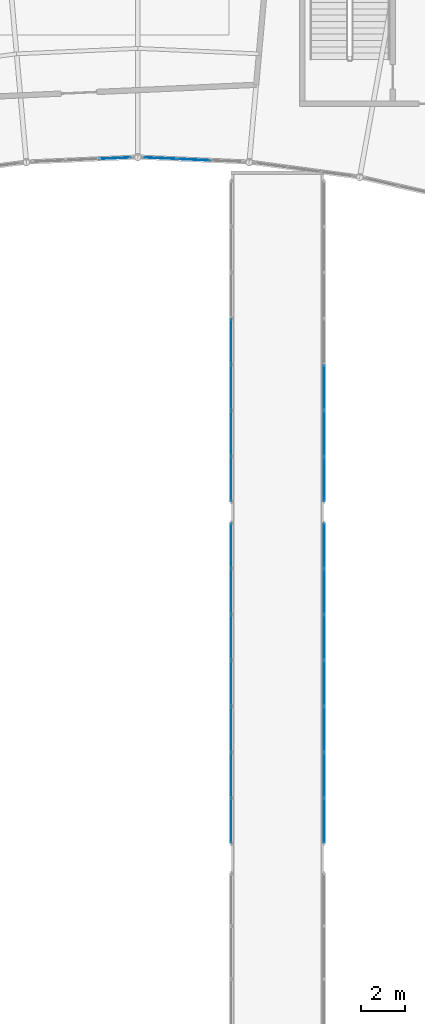
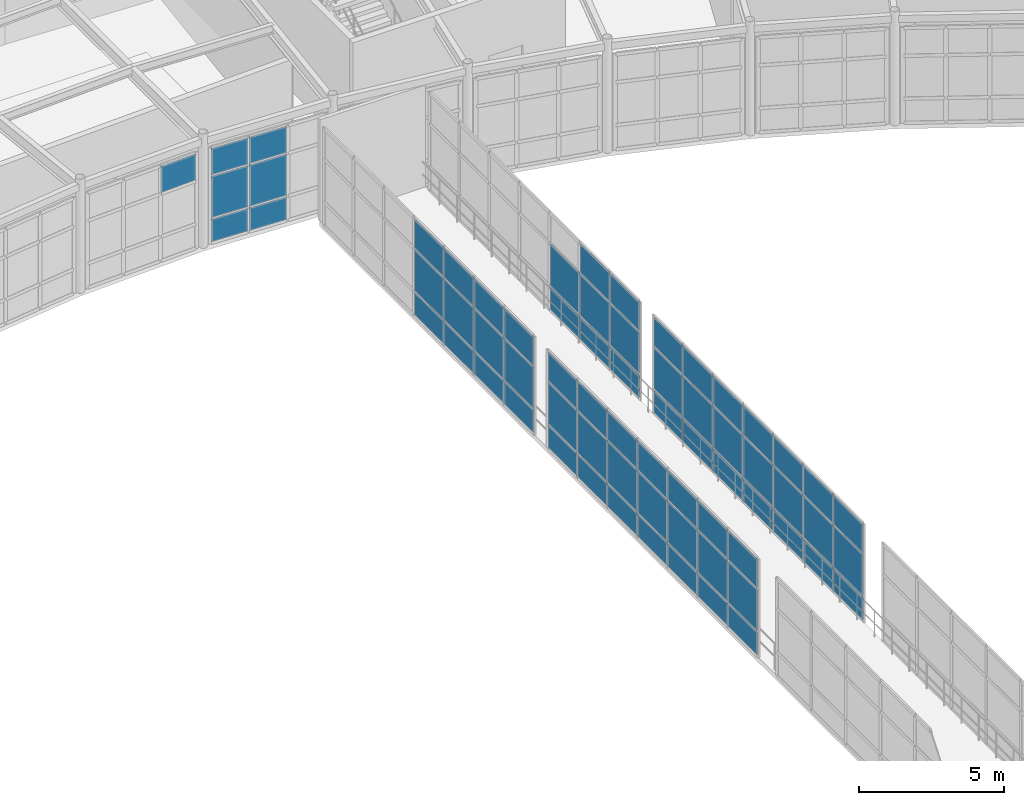
# One storey, part 80 of 105: 69 plates, 6 elements without a shape of their own.
"""IFC4 building model written with IfcOpenShell, lengths in metres."""

import ifcopenshell
import ifcopenshell.guid

model = None  # the IFC model being written
_history = None  # IfcOwnerHistory: only IFC2X3 demands one
_inside = {}  # id of a spatial element -> (the spatial element, [elements in it])
_under = {}  # id of a project, library or spatial element -> (it, [spatial elements below it])
_declared = {}  # id of a project -> (the project, [libraries it declares])
_typed = {}  # id of a type object -> (the type object, [elements of that type])
_made_of = {}  # id of a material, layer set ... -> (it, [elements and type objects made of it])


def new_model(schema):
    """Start an empty IFC model of exactly this schema.

    Asked for "IFC4X3", IfcOpenShell would pick the latest addendum, in which some entities
    have other attributes; the version numbers below select the first issue.
    IFC2X3 requires an IfcOwnerHistory on every rooted entity: one is made here for all.
    """
    global model, _history
    if schema == "IFC4X3":
        model = ifcopenshell.file(schema_version=(4, 3, 0, 0))
    else:
        model = ifcopenshell.file(schema=schema)
    _inside.clear()
    _under.clear()
    _declared.clear()
    _typed.clear()
    _made_of.clear()
    _history = None
    if model.schema == "IFC2X3":
        org = make("IfcOrganization", Name="unknown")
        user = make(
            "IfcPersonAndOrganization",
            ThePerson=make("IfcPerson", FamilyName="unknown"),
            TheOrganization=org,
        )
        app = make(
            "IfcApplication",
            ApplicationDeveloper=org,
            Version="unknown",
            ApplicationFullName="unknown",
            ApplicationIdentifier="unknown",
        )
        _history = make(
            "IfcOwnerHistory",
            OwningUser=user,
            OwningApplication=app,
            ChangeAction="ADDED",
            CreationDate=0,
        )
    return model


def make(cls, **values):
    """One entity of the class cls with the attributes given. An attribute that is None is left unset."""
    return model.create_entity(
        cls, **{name: value for name, value in values.items() if value is not None}
    )


def rooted(cls, **values):
    """An entity with a GlobalId (a new one), such as an element, a storey or a relation."""
    return make(cls, GlobalId=ifcopenshell.guid.new(), OwnerHistory=_history, **values)


def si_unit(unit_type, name, prefix=None):
    """IfcSIUnit, for example si_unit("LENGTHUNIT", "METRE", prefix="MILLI")."""
    return make("IfcSIUnit", UnitType=unit_type, Prefix=prefix, Name=name)


def assignment(units):
    """IfcUnitAssignment: the units of a project."""
    return None if units is None else make("IfcUnitAssignment", Units=units)


def point(xyz):
    """IfcCartesianPoint."""
    return None if xyz is None else make("IfcCartesianPoint", Coordinates=xyz)


def direction(xyz):
    """IfcDirection."""
    return None if xyz is None else make("IfcDirection", DirectionRatios=xyz)


def frame(location, z_axis=None, x_axis=None):
    """IfcAxis2Placement3D, a coordinate frame: its origin and axes. An axis left out is left unset."""
    return make(
        "IfcAxis2Placement3D",
        Location=point(location),
        Axis=direction(z_axis),
        RefDirection=direction(x_axis),
    )


def frame_2d(location, x_axis=None):
    """IfcAxis2Placement2D, a coordinate frame in the plane: its origin and x axis."""
    return make(
        "IfcAxis2Placement2D", Location=point(location), RefDirection=direction(x_axis)
    )


def origin():
    """The frame at (0, 0, 0) with its axes left unset."""
    return frame((0.0, 0.0, 0.0))


def origin_2d():
    """The frame at (0, 0) in the plane with its x axis left unset."""
    return frame_2d((0.0, 0.0))


def place(relative_to, where):
    """IfcLocalPlacement: puts the frame where relative to a parent placement (None: the world)."""
    return make(
        "IfcLocalPlacement", PlacementRelTo=relative_to, RelativePlacement=where
    )


def context(
    kind, dimensions, precision=None, world=None, true_north=None, identifier=None
):
    """IfcGeometricRepresentationContext, for example the 3D "Model" context."""
    return make(
        "IfcGeometricRepresentationContext",
        ContextIdentifier=identifier,
        ContextType=kind,
        CoordinateSpaceDimension=dimensions,
        Precision=precision,
        WorldCoordinateSystem=world,
        TrueNorth=true_north,
    )


def subcontext(parent, identifier, kind, view, scale=None):
    """IfcGeometricRepresentationSubContext, for example "Body" below "Model"."""
    return make(
        "IfcGeometricRepresentationSubContext",
        ContextIdentifier=identifier,
        ContextType=kind,
        ParentContext=parent,
        TargetScale=scale,
        TargetView=view,
    )


def project(units=None, contexts=None):
    """IfcProject with its units and contexts."""
    return rooted(
        "IfcProject",
        Name="project",
        RepresentationContexts=contexts,
        UnitsInContext=assignment(units),
    )


def spatial(cls, under=None, at=None, **own):
    """A site, building, storey or space (cls), placed at a placement, below another one or the project."""
    s = rooted(cls, ObjectPlacement=at, **own)
    if under is not None:
        _under.setdefault(under.id(), (under, []))[1].append(s)
    return s


def profile(cls, at=None, kind="AREA", **sizes):
    """A parametric profile (cls). Its sizes go by their IFC names, for example OverallWidth=200.0."""
    return make(cls, ProfileType=kind, Position=at, **sizes)


def rectangle(**sizes):
    """IfcRectangleProfileDef."""
    return profile("IfcRectangleProfileDef", **sizes)


def extrude(swept, where, along, depth):
    """IfcExtrudedAreaSolid: the profile swept, set in the frame where, extruded along a direction by depth."""
    return make(
        "IfcExtrudedAreaSolid",
        SweptArea=swept,
        Position=where,
        ExtrudedDirection=direction(along),
        Depth=depth,
    )


def shape(context_of_items, identifier, shape_type, items):
    """IfcShapeRepresentation: the items that make up one representation, for example the "Body"."""
    return make(
        "IfcShapeRepresentation",
        ContextOfItems=context_of_items,
        RepresentationIdentifier=identifier,
        RepresentationType=shape_type,
        Items=items,
    )


def material(Name=None, Category=None):
    """IfcMaterial."""
    return make("IfcMaterial", Name=Name, Category=Category)


def layer(
    of_material, thickness, ventilated=None, Name=None, Category=None, Priority=None
):
    """IfcMaterialLayer: one layer of a wall or slab, of a material (None: an air gap)."""
    return make(
        "IfcMaterialLayer",
        Material=of_material,
        LayerThickness=thickness,
        IsVentilated=ventilated,
        Name=Name,
        Category=Category,
        Priority=Priority,
    )


def layer_set(layers, Name=None):
    """IfcMaterialLayerSet."""
    return make("IfcMaterialLayerSet", MaterialLayers=layers, LayerSetName=Name)


def made_of(thing, what):
    """Note that an element or type object is made of a material, layer set ...; save() writes the relation."""
    if what is not None:
        _made_of.setdefault(what.id(), (what, []))[1].append(thing)
    return thing


def type_object(cls, material=None, **own):
    """A type object (cls), such as IfcWallType, which elements share."""
    return made_of(rooted(cls, **own), material)


def element(
    cls,
    number,
    at=None,
    inside=None,
    cuts=None,
    type_object=None,
    material=None,
    context=None,
    identifier="Body",
    shape_type=None,
    held_by="IfcProductDefinitionShape",
    body=None,
    shapes=None,
    **own,
):
    """One element of the class cls, such as IfcWall. Its Tag is "e" and its number.

    at: its placement. inside: the storey or other place that contains it. cuts: it is an
    opening in that element (IfcRelVoidsElement). A single representation is given by context,
    identifier, shape_type and body (its items); several are given by shapes. held_by: the class
    of the entity that holds the representations. save() writes the other relations.
    """
    e = rooted(cls, Tag="e%d" % number, ObjectPlacement=at, **own)
    if body is not None:
        shapes = [shape(context, identifier, shape_type, body)]
    if shapes is not None:
        e.Representation = make(held_by, Representations=shapes)
    if inside is not None:
        _inside.setdefault(inside.id(), (inside, []))[1].append(e)
    if cuts is not None:
        rooted(
            "IfcRelVoidsElement", RelatingBuildingElement=cuts, RelatedOpeningElement=e
        )
    if type_object is not None:
        _typed.setdefault(type_object.id(), (type_object, []))[1].append(e)
    return made_of(e, material)


def aggregate(whole, parts):
    """IfcRelAggregates: a whole, such as a stair, and the parts it consists of."""
    return rooted("IfcRelAggregates", RelatingObject=whole, RelatedObjects=parts)


def save(model, path):
    """Write the relations noted so far, then the file.

    IfcRelAggregates (storeys below a building ...), IfcRelContainedInSpatialStructure (elements
    in a storey), IfcRelDefinesByType, IfcRelAssociatesMaterial and IfcRelDeclares: one each for
    every whole, place, type object, material and project.
    """
    for whole, parts in _under.values():
        aggregate(whole, parts)
    for where, things in _inside.values():
        rooted(
            "IfcRelContainedInSpatialStructure",
            RelatedElements=things,
            RelatingStructure=where,
        )
    for kind, things in _typed.values():
        rooted("IfcRelDefinesByType", RelatedObjects=things, RelatingType=kind)
    for what, things in _made_of.values():
        rooted("IfcRelAssociatesMaterial", RelatedObjects=things, RelatingMaterial=what)
    for by, libraries in _declared.values():
        rooted("IfcRelDeclares", RelatingContext=by, RelatedDefinitions=libraries)
    model.write(path)


model = new_model("IFC4")

# Units and contexts
model_context = context("Model", 3, precision=1e-05, world=origin(), true_north=direction((0.0, 1.0)))
body_context = subcontext(model_context, "Body", "Model", "MODEL_VIEW")
ifc_project = project(units=[si_unit("LENGTHUNIT", "METRE"), si_unit("AREAUNIT", "SQUARE_METRE"), si_unit("VOLUMEUNIT", "CUBIC_METRE"), si_unit("PLANEANGLEUNIT", "RADIAN"), si_unit("MASSUNIT", "GRAM", prefix="KILO")], contexts=[model_context])

# Site, building, storey
site_placement = place(None, origin())
site = spatial("IfcSite", under=ifc_project, at=site_placement, CompositionType="ELEMENT")
building_placement = place(site_placement, origin())
building = spatial("IfcBuilding", under=site, at=building_placement, Name="Selat Folded Stagehouse", CompositionType="ELEMENT")
storey_placement = place(building_placement, frame((0.0, 0.0, 10.199951171875)))
storey = spatial("IfcBuildingStorey", under=building, at=storey_placement, Name="L02", CompositionType="ELEMENT", Elevation=10.199951171875)

# Curtain wall, plates
ifc_material_1 = material(Name="Aluminium 6063-T6", Category="aluminium")
ifc_layer_1 = layer(ifc_material_1, 0.175048828125)
ifc_layer_set_1 = layer_set([ifc_layer_1], Name="Aluminium 6063-T6")
curtain_wall_type_1 = type_object("IfcCurtainWallType", Name="CW-BRG-GLAZ", PredefinedType="NOTDEFINED", material=ifc_layer_set_1)
curtain_wall_1_placement = place(storey_placement, origin())
curtain_wall_1 = element("IfcCurtainWall", 1, at=curtain_wall_1_placement, inside=storey, type_object=curtain_wall_type_1, Name="L02 curtain wall CW-BRG-14", PredefinedType="NOTDEFINED")
ifc_material_2 = material(Name="Clear laminated double glazing", Category="glass")
ifc_layer_2 = layer(ifc_material_2, 0.028076171875)
ifc_layer_set_2 = layer_set([ifc_layer_2], Name="Clear laminated double glazing")
plate_type_1 = type_object("IfcPlateType", Name="CWP-GLZ-DGU28", PredefinedType="CURTAIN_PANEL", material=ifc_layer_set_2)
plate_1_placement = place(storey_placement, frame((96.60009765625, 64.100830078125, 0.06494140625), z_axis=(0.0, 0.0, 1.0), x_axis=(0.0, 1.0, 0.0)))
plate_1 = element("IfcPlate", 2, at=plate_1_placement, type_object=plate_type_1, Name="CW-07 panel 1.1", PredefinedType="CURTAIN_PANEL", context=body_context, shape_type="SweptSolid", body=[
    extrude(rectangle(XDim=1.9814453125, YDim=0.028076171875, at=origin_2d()), origin(), (0.0, 0.0, 1.0), 0.952392578125),
])
plate_2_placement = place(storey_placement, frame((96.60009765625, 64.100830078125, 1.08251953125), z_axis=(0.0, 0.0, 1.0), x_axis=(0.0, 1.0, 0.0)))
plate_2 = element("IfcPlate", 3, at=plate_2_placement, type_object=plate_type_1, Name="CW-07 panel 1.2", PredefinedType="CURTAIN_PANEL", context=body_context, shape_type="SweptSolid", body=[
    extrude(rectangle(XDim=1.9814453125, YDim=0.028076171875, at=origin_2d()), origin(), (0.0, 0.0, 1.0), 1.735107421875),
])
plate_3_placement = place(storey_placement, frame((96.60009765625, 64.100830078125, 2.8828125), z_axis=(0.0, 0.0, 1.0), x_axis=(0.0, 1.0, 0.0)))
plate_3 = element("IfcPlate", 4, at=plate_3_placement, type_object=plate_type_1, Name="CW-07 panel 1.3", PredefinedType="CURTAIN_PANEL", context=body_context, shape_type="SweptSolid", body=[
    extrude(rectangle(XDim=1.9814453125, YDim=0.028076171875, at=origin_2d()), origin(), (0.0, 0.0, 1.0), 1.202392578125),
])
plate_4_placement = place(storey_placement, frame((96.60009765625, 66.1572265625, 0.06494140625), z_axis=(0.0, 0.0, 1.0), x_axis=(0.0, 1.0, 0.0)))
plate_4 = element("IfcPlate", 5, at=plate_4_placement, type_object=plate_type_1, Name="CW-07 panel 2.1", PredefinedType="CURTAIN_PANEL", context=body_context, shape_type="SweptSolid", body=[
    extrude(rectangle(XDim=2.011474609375, YDim=0.028076171875, at=origin_2d()), origin(), (0.0, 0.0, 1.0), 0.952392578125),
])
plate_5_placement = place(storey_placement, frame((96.60009765625, 66.1572265625, 1.08251953125), z_axis=(0.0, 0.0, 1.0), x_axis=(0.0, 1.0, 0.0)))
plate_5 = element("IfcPlate", 6, at=plate_5_placement, type_object=plate_type_1, Name="CW-07 panel 2.2", PredefinedType="CURTAIN_PANEL", context=body_context, shape_type="SweptSolid", body=[
    extrude(rectangle(XDim=2.011474609375, YDim=0.028076171875, at=origin_2d()), origin(), (0.0, 0.0, 1.0), 1.735107421875),
])
plate_6_placement = place(storey_placement, frame((96.60009765625, 66.1572265625, 2.8828125), z_axis=(0.0, 0.0, 1.0), x_axis=(0.0, 1.0, 0.0)))
plate_6 = element("IfcPlate", 7, at=plate_6_placement, type_object=plate_type_1, Name="CW-07 panel 2.3", PredefinedType="CURTAIN_PANEL", context=body_context, shape_type="SweptSolid", body=[
    extrude(rectangle(XDim=2.011474609375, YDim=0.028076171875, at=origin_2d()), origin(), (0.0, 0.0, 1.0), 1.202392578125),
])
plate_7_placement = place(storey_placement, frame((96.60009765625, 68.228515625, 0.06494140625), z_axis=(0.0, 0.0, 1.0), x_axis=(0.0, 1.0, 0.0)))
plate_7 = element("IfcPlate", 8, at=plate_7_placement, type_object=plate_type_1, Name="CW-07 panel 3.1", PredefinedType="CURTAIN_PANEL", context=body_context, shape_type="SweptSolid", body=[
    extrude(rectangle(XDim=2.011474609375, YDim=0.028076171875, at=origin_2d()), origin(), (0.0, 0.0, 1.0), 0.952392578125),
])
plate_8_placement = place(storey_placement, frame((96.60009765625, 68.228515625, 1.08251953125), z_axis=(0.0, 0.0, 1.0), x_axis=(0.0, 1.0, 0.0)))
plate_8 = element("IfcPlate", 9, at=plate_8_placement, type_object=plate_type_1, Name="CW-07 panel 3.2", PredefinedType="CURTAIN_PANEL", context=body_context, shape_type="SweptSolid", body=[
    extrude(rectangle(XDim=2.011474609375, YDim=0.028076171875, at=origin_2d()), origin(), (0.0, 0.0, 1.0), 1.735107421875),
])
plate_9_placement = place(storey_placement, frame((96.60009765625, 68.228515625, 2.8828125), z_axis=(0.0, 0.0, 1.0), x_axis=(0.0, 1.0, 0.0)))
plate_9 = element("IfcPlate", 10, at=plate_9_placement, type_object=plate_type_1, Name="CW-07 panel 3.3", PredefinedType="CURTAIN_PANEL", context=body_context, shape_type="SweptSolid", body=[
    extrude(rectangle(XDim=2.011474609375, YDim=0.028076171875, at=origin_2d()), origin(), (0.0, 0.0, 1.0), 1.202392578125),
])
plate_10_placement = place(storey_placement, frame((96.60009765625, 70.300048828125, 0.06494140625), z_axis=(0.0, 0.0, 1.0), x_axis=(0.0, 1.0, 0.0)))
plate_10 = element("IfcPlate", 11, at=plate_10_placement, type_object=plate_type_1, Name="CW-07 panel 4.1", PredefinedType="CURTAIN_PANEL", context=body_context, shape_type="SweptSolid", body=[
    extrude(rectangle(XDim=2.011474609375, YDim=0.028076171875, at=origin_2d()), origin(), (0.0, 0.0, 1.0), 0.952392578125),
])
plate_11_placement = place(storey_placement, frame((96.60009765625, 70.300048828125, 1.08251953125), z_axis=(0.0, 0.0, 1.0), x_axis=(0.0, 1.0, 0.0)))
plate_11 = element("IfcPlate", 12, at=plate_11_placement, type_object=plate_type_1, Name="CW-07 panel 4.2", PredefinedType="CURTAIN_PANEL", context=body_context, shape_type="SweptSolid", body=[
    extrude(rectangle(XDim=2.011474609375, YDim=0.028076171875, at=origin_2d()), origin(), (0.0, 0.0, 1.0), 1.735107421875),
])
plate_12_placement = place(storey_placement, frame((96.60009765625, 70.300048828125, 2.8828125), z_axis=(0.0, 0.0, 1.0), x_axis=(0.0, 1.0, 0.0)))
plate_12 = element("IfcPlate", 13, at=plate_12_placement, type_object=plate_type_1, Name="CW-07 panel 4.3", PredefinedType="CURTAIN_PANEL", context=body_context, shape_type="SweptSolid", body=[
    extrude(rectangle(XDim=2.011474609375, YDim=0.028076171875, at=origin_2d()), origin(), (0.0, 0.0, 1.0), 1.202392578125),
])
plate_13_placement = place(storey_placement, frame((96.60009765625, 72.371337890625, 0.06494140625), z_axis=(0.0, 0.0, 1.0), x_axis=(0.0, 1.0, 0.0)))
plate_13 = element("IfcPlate", 14, at=plate_13_placement, type_object=plate_type_1, Name="CW-07 panel 5.1", PredefinedType="CURTAIN_PANEL", context=body_context, shape_type="SweptSolid", body=[
    extrude(rectangle(XDim=2.011474609375, YDim=0.028076171875, at=origin_2d()), origin(), (0.0, 0.0, 1.0), 0.952392578125),
])
plate_14_placement = place(storey_placement, frame((96.60009765625, 72.371337890625, 1.08251953125), z_axis=(0.0, 0.0, 1.0), x_axis=(0.0, 1.0, 0.0)))
plate_14 = element("IfcPlate", 15, at=plate_14_placement, type_object=plate_type_1, Name="CW-07 panel 5.2", PredefinedType="CURTAIN_PANEL", context=body_context, shape_type="SweptSolid", body=[
    extrude(rectangle(XDim=2.011474609375, YDim=0.028076171875, at=origin_2d()), origin(), (0.0, 0.0, 1.0), 1.735107421875),
])
plate_15_placement = place(storey_placement, frame((96.60009765625, 72.371337890625, 2.8828125), z_axis=(0.0, 0.0, 1.0), x_axis=(0.0, 1.0, 0.0)))
plate_15 = element("IfcPlate", 16, at=plate_15_placement, type_object=plate_type_1, Name="CW-07 panel 5.3", PredefinedType="CURTAIN_PANEL", context=body_context, shape_type="SweptSolid", body=[
    extrude(rectangle(XDim=2.011474609375, YDim=0.028076171875, at=origin_2d()), origin(), (0.0, 0.0, 1.0), 1.202392578125),
])
plate_16_placement = place(storey_placement, frame((96.60009765625, 74.44287109375, 0.06494140625), z_axis=(0.0, 0.0, 1.0), x_axis=(0.0, 1.0, 0.0)))
plate_16 = element("IfcPlate", 17, at=plate_16_placement, type_object=plate_type_1, Name="CW-07 panel 6.1", PredefinedType="CURTAIN_PANEL", context=body_context, shape_type="SweptSolid", body=[
    extrude(rectangle(XDim=2.011474609375, YDim=0.028076171875, at=origin_2d()), origin(), (0.0, 0.0, 1.0), 0.952392578125),
])
plate_17_placement = place(storey_placement, frame((96.60009765625, 74.44287109375, 1.08251953125), z_axis=(0.0, 0.0, 1.0), x_axis=(0.0, 1.0, 0.0)))
plate_17 = element("IfcPlate", 18, at=plate_17_placement, type_object=plate_type_1, Name="CW-07 panel 6.2", PredefinedType="CURTAIN_PANEL", context=body_context, shape_type="SweptSolid", body=[
    extrude(rectangle(XDim=2.011474609375, YDim=0.028076171875, at=origin_2d()), origin(), (0.0, 0.0, 1.0), 1.735107421875),
])
plate_18_placement = place(storey_placement, frame((96.60009765625, 74.44287109375, 2.8828125), z_axis=(0.0, 0.0, 1.0), x_axis=(0.0, 1.0, 0.0)))
plate_18 = element("IfcPlate", 19, at=plate_18_placement, type_object=plate_type_1, Name="CW-07 panel 6.3", PredefinedType="CURTAIN_PANEL", context=body_context, shape_type="SweptSolid", body=[
    extrude(rectangle(XDim=2.011474609375, YDim=0.028076171875, at=origin_2d()), origin(), (0.0, 0.0, 1.0), 1.202392578125),
])
plate_19_placement = place(storey_placement, frame((96.60009765625, 76.499267578125, 0.06494140625), z_axis=(0.0, 0.0, 1.0), x_axis=(0.0, 1.0, 0.0)))
plate_19 = element("IfcPlate", 20, at=plate_19_placement, type_object=plate_type_1, Name="CW-07 panel 7.1", PredefinedType="CURTAIN_PANEL", context=body_context, shape_type="SweptSolid", body=[
    extrude(rectangle(XDim=1.9814453125, YDim=0.028076171875, at=origin_2d()), origin(), (0.0, 0.0, 1.0), 0.952392578125),
])
plate_20_placement = place(storey_placement, frame((96.60009765625, 76.499267578125, 1.08251953125), z_axis=(0.0, 0.0, 1.0), x_axis=(0.0, 1.0, 0.0)))
plate_20 = element("IfcPlate", 21, at=plate_20_placement, type_object=plate_type_1, Name="CW-07 panel 7.2", PredefinedType="CURTAIN_PANEL", context=body_context, shape_type="SweptSolid", body=[
    extrude(rectangle(XDim=1.9814453125, YDim=0.028076171875, at=origin_2d()), origin(), (0.0, 0.0, 1.0), 1.735107421875),
])
plate_21_placement = place(storey_placement, frame((96.60009765625, 76.499267578125, 2.8828125), z_axis=(0.0, 0.0, 1.0), x_axis=(0.0, 1.0, 0.0)))
plate_21 = element("IfcPlate", 22, at=plate_21_placement, type_object=plate_type_1, Name="CW-07 panel 7.3", PredefinedType="CURTAIN_PANEL", context=body_context, shape_type="SweptSolid", body=[
    extrude(rectangle(XDim=1.9814453125, YDim=0.028076171875, at=origin_2d()), origin(), (0.0, 0.0, 1.0), 1.202392578125),
])
aggregate(curtain_wall_1, [plate_1, plate_2, plate_3, plate_4, plate_5, plate_6, plate_7, plate_8, plate_9, plate_10, plate_11, plate_12, plate_13, plate_14, plate_15, plate_16, plate_17, plate_18, plate_19, plate_20, plate_21])

curtain_wall_2_placement = place(storey_placement, origin())
curtain_wall_2 = element("IfcCurtainWall", 23, at=curtain_wall_2_placement, inside=storey, type_object=curtain_wall_type_1, Name="L02 curtain wall CW-BRG-15", PredefinedType="NOTDEFINED")
plate_22_placement = place(storey_placement, frame((96.60009765625, 79.500732421875, 0.06494140625), z_axis=(0.0, 0.0, 1.0), x_axis=(0.0, 1.0, 0.0)))
plate_22 = element("IfcPlate", 24, at=plate_22_placement, type_object=plate_type_1, Name="CW-07 panel 1.1", PredefinedType="CURTAIN_PANEL", context=body_context, shape_type="SweptSolid", body=[
    extrude(rectangle(XDim=1.9814453125, YDim=0.028076171875, at=origin_2d()), origin(), (0.0, 0.0, 1.0), 0.952392578125),
])
plate_23_placement = place(storey_placement, frame((96.60009765625, 79.500732421875, 1.08251953125), z_axis=(0.0, 0.0, 1.0), x_axis=(0.0, 1.0, 0.0)))
plate_23 = element("IfcPlate", 25, at=plate_23_placement, type_object=plate_type_1, Name="CW-07 panel 1.2", PredefinedType="CURTAIN_PANEL", context=body_context, shape_type="SweptSolid", body=[
    extrude(rectangle(XDim=1.9814453125, YDim=0.028076171875, at=origin_2d()), origin(), (0.0, 0.0, 1.0), 1.735107421875),
])
plate_24_placement = place(storey_placement, frame((96.60009765625, 79.500732421875, 2.8828125), z_axis=(0.0, 0.0, 1.0), x_axis=(0.0, 1.0, 0.0)))
plate_24 = element("IfcPlate", 26, at=plate_24_placement, type_object=plate_type_1, Name="CW-07 panel 1.3", PredefinedType="CURTAIN_PANEL", context=body_context, shape_type="SweptSolid", body=[
    extrude(rectangle(XDim=1.9814453125, YDim=0.028076171875, at=origin_2d()), origin(), (0.0, 0.0, 1.0), 1.202392578125),
])
plate_25_placement = place(storey_placement, frame((96.60009765625, 81.55712890625, 0.06494140625), z_axis=(0.0, 0.0, 1.0), x_axis=(0.0, 1.0, 0.0)))
plate_25 = element("IfcPlate", 27, at=plate_25_placement, type_object=plate_type_1, Name="CW-07 panel 2.1", PredefinedType="CURTAIN_PANEL", context=body_context, shape_type="SweptSolid", body=[
    extrude(rectangle(XDim=2.011474609375, YDim=0.028076171875, at=origin_2d()), origin(), (0.0, 0.0, 1.0), 0.952392578125),
])
plate_26_placement = place(storey_placement, frame((96.60009765625, 81.55712890625, 1.08251953125), z_axis=(0.0, 0.0, 1.0), x_axis=(0.0, 1.0, 0.0)))
plate_26 = element("IfcPlate", 28, at=plate_26_placement, type_object=plate_type_1, Name="CW-07 panel 2.2", PredefinedType="CURTAIN_PANEL", context=body_context, shape_type="SweptSolid", body=[
    extrude(rectangle(XDim=2.011474609375, YDim=0.028076171875, at=origin_2d()), origin(), (0.0, 0.0, 1.0), 1.735107421875),
])
plate_27_placement = place(storey_placement, frame((96.60009765625, 81.55712890625, 2.8828125), z_axis=(0.0, 0.0, 1.0), x_axis=(0.0, 1.0, 0.0)))
plate_27 = element("IfcPlate", 29, at=plate_27_placement, type_object=plate_type_1, Name="CW-07 panel 2.3", PredefinedType="CURTAIN_PANEL", context=body_context, shape_type="SweptSolid", body=[
    extrude(rectangle(XDim=2.011474609375, YDim=0.028076171875, at=origin_2d()), origin(), (0.0, 0.0, 1.0), 1.202392578125),
])
plate_28_placement = place(storey_placement, frame((96.60009765625, 83.628662109375, 0.06494140625), z_axis=(0.0, 0.0, 1.0), x_axis=(0.0, 1.0, 0.0)))
plate_28 = element("IfcPlate", 30, at=plate_28_placement, type_object=plate_type_1, Name="CW-07 panel 3.1", PredefinedType="CURTAIN_PANEL", context=body_context, shape_type="SweptSolid", body=[
    extrude(rectangle(XDim=2.011474609375, YDim=0.028076171875, at=origin_2d()), origin(), (0.0, 0.0, 1.0), 0.952392578125),
])
plate_29_placement = place(storey_placement, frame((96.60009765625, 83.628662109375, 1.08251953125), z_axis=(0.0, 0.0, 1.0), x_axis=(0.0, 1.0, 0.0)))
plate_29 = element("IfcPlate", 31, at=plate_29_placement, type_object=plate_type_1, Name="CW-07 panel 3.2", PredefinedType="CURTAIN_PANEL", context=body_context, shape_type="SweptSolid", body=[
    extrude(rectangle(XDim=2.011474609375, YDim=0.028076171875, at=origin_2d()), origin(), (0.0, 0.0, 1.0), 1.735107421875),
])
plate_30_placement = place(storey_placement, frame((96.60009765625, 83.628662109375, 2.8828125), z_axis=(0.0, 0.0, 1.0), x_axis=(0.0, 1.0, 0.0)))
plate_30 = element("IfcPlate", 32, at=plate_30_placement, type_object=plate_type_1, Name="CW-07 panel 3.3", PredefinedType="CURTAIN_PANEL", context=body_context, shape_type="SweptSolid", body=[
    extrude(rectangle(XDim=2.011474609375, YDim=0.028076171875, at=origin_2d()), origin(), (0.0, 0.0, 1.0), 1.202392578125),
])
plate_31_placement = place(storey_placement, frame((96.60009765625, 85.699951171875, 0.06494140625), z_axis=(0.0, 0.0, 1.0), x_axis=(0.0, 1.0, 0.0)))
plate_31 = element("IfcPlate", 33, at=plate_31_placement, type_object=plate_type_1, Name="CW-07 panel 4.1", PredefinedType="CURTAIN_PANEL", context=body_context, shape_type="SweptSolid", body=[
    extrude(rectangle(XDim=2.011474609375, YDim=0.028076171875, at=origin_2d()), origin(), (0.0, 0.0, 1.0), 0.952392578125),
])
plate_32_placement = place(storey_placement, frame((96.60009765625, 85.699951171875, 1.08251953125), z_axis=(0.0, 0.0, 1.0), x_axis=(0.0, 1.0, 0.0)))
plate_32 = element("IfcPlate", 34, at=plate_32_placement, type_object=plate_type_1, Name="CW-07 panel 4.2", PredefinedType="CURTAIN_PANEL", context=body_context, shape_type="SweptSolid", body=[
    extrude(rectangle(XDim=2.011474609375, YDim=0.028076171875, at=origin_2d()), origin(), (0.0, 0.0, 1.0), 1.735107421875),
])
plate_33_placement = place(storey_placement, frame((96.60009765625, 85.699951171875, 2.8828125), z_axis=(0.0, 0.0, 1.0), x_axis=(0.0, 1.0, 0.0)))
plate_33 = element("IfcPlate", 35, at=plate_33_placement, type_object=plate_type_1, Name="CW-07 panel 4.3", PredefinedType="CURTAIN_PANEL", context=body_context, shape_type="SweptSolid", body=[
    extrude(rectangle(XDim=2.011474609375, YDim=0.028076171875, at=origin_2d()), origin(), (0.0, 0.0, 1.0), 1.202392578125),
])
aggregate(curtain_wall_2, [plate_22, plate_23, plate_24, plate_25, plate_26, plate_27, plate_28, plate_29, plate_30, plate_31, plate_32, plate_33])

curtain_wall_3_placement = place(storey_placement, origin())
curtain_wall_3 = element("IfcCurtainWall", 36, at=curtain_wall_3_placement, inside=storey, type_object=curtain_wall_type_1, Name="L02 curtain wall CW-BRG-19", PredefinedType="NOTDEFINED")
plate_34_placement = place(storey_placement, frame((100.800048828125, 76.499267578125, 0.06494140625), z_axis=(0.0, 0.0, 1.0), x_axis=(0.0, -1.0, 0.0)))
plate_34 = element("IfcPlate", 37, at=plate_34_placement, type_object=plate_type_1, Name="CW-07 panel 1.1", PredefinedType="CURTAIN_PANEL", context=body_context, shape_type="SweptSolid", body=[
    extrude(rectangle(XDim=1.9814453125, YDim=0.028076171875, at=origin_2d()), origin(), (0.0, 0.0, 1.0), 0.952392578125),
])
plate_35_placement = place(storey_placement, frame((100.800048828125, 76.499267578125, 1.08251953125), z_axis=(0.0, 0.0, 1.0), x_axis=(0.0, -1.0, 0.0)))
plate_35 = element("IfcPlate", 38, at=plate_35_placement, type_object=plate_type_1, Name="CW-07 panel 1.2", PredefinedType="CURTAIN_PANEL", context=body_context, shape_type="SweptSolid", body=[
    extrude(rectangle(XDim=1.9814453125, YDim=0.028076171875, at=origin_2d()), origin(), (0.0, 0.0, 1.0), 1.735107421875),
])
plate_36_placement = place(storey_placement, frame((100.800048828125, 76.499267578125, 2.8828125), z_axis=(0.0, 0.0, 1.0), x_axis=(0.0, -1.0, 0.0)))
plate_36 = element("IfcPlate", 39, at=plate_36_placement, type_object=plate_type_1, Name="CW-07 panel 1.3", PredefinedType="CURTAIN_PANEL", context=body_context, shape_type="SweptSolid", body=[
    extrude(rectangle(XDim=1.9814453125, YDim=0.028076171875, at=origin_2d()), origin(), (0.0, 0.0, 1.0), 1.202392578125),
])
plate_37_placement = place(storey_placement, frame((100.800048828125, 74.44287109375, 0.06494140625), z_axis=(0.0, 0.0, 1.0), x_axis=(0.0, -1.0, 0.0)))
plate_37 = element("IfcPlate", 40, at=plate_37_placement, type_object=plate_type_1, Name="CW-07 panel 2.1", PredefinedType="CURTAIN_PANEL", context=body_context, shape_type="SweptSolid", body=[
    extrude(rectangle(XDim=2.011474609375, YDim=0.028076171875, at=origin_2d()), origin(), (0.0, 0.0, 1.0), 0.952392578125),
])
plate_38_placement = place(storey_placement, frame((100.800048828125, 74.44287109375, 1.08251953125), z_axis=(0.0, 0.0, 1.0), x_axis=(0.0, -1.0, 0.0)))
plate_38 = element("IfcPlate", 41, at=plate_38_placement, type_object=plate_type_1, Name="CW-07 panel 2.2", PredefinedType="CURTAIN_PANEL", context=body_context, shape_type="SweptSolid", body=[
    extrude(rectangle(XDim=2.011474609375, YDim=0.028076171875, at=origin_2d()), origin(), (0.0, 0.0, 1.0), 1.735107421875),
])
plate_39_placement = place(storey_placement, frame((100.800048828125, 74.44287109375, 2.8828125), z_axis=(0.0, 0.0, 1.0), x_axis=(0.0, -1.0, 0.0)))
plate_39 = element("IfcPlate", 42, at=plate_39_placement, type_object=plate_type_1, Name="CW-07 panel 2.3", PredefinedType="CURTAIN_PANEL", context=body_context, shape_type="SweptSolid", body=[
    extrude(rectangle(XDim=2.011474609375, YDim=0.028076171875, at=origin_2d()), origin(), (0.0, 0.0, 1.0), 1.202392578125),
])
plate_40_placement = place(storey_placement, frame((100.800048828125, 72.371337890625, 0.06494140625), z_axis=(0.0, 0.0, 1.0), x_axis=(0.0, -1.0, 0.0)))
plate_40 = element("IfcPlate", 43, at=plate_40_placement, type_object=plate_type_1, Name="CW-07 panel 3.1", PredefinedType="CURTAIN_PANEL", context=body_context, shape_type="SweptSolid", body=[
    extrude(rectangle(XDim=2.011474609375, YDim=0.028076171875, at=origin_2d()), origin(), (0.0, 0.0, 1.0), 0.952392578125),
])
plate_41_placement = place(storey_placement, frame((100.800048828125, 72.371337890625, 1.08251953125), z_axis=(0.0, 0.0, 1.0), x_axis=(0.0, -1.0, 0.0)))
plate_41 = element("IfcPlate", 44, at=plate_41_placement, type_object=plate_type_1, Name="CW-07 panel 3.2", PredefinedType="CURTAIN_PANEL", context=body_context, shape_type="SweptSolid", body=[
    extrude(rectangle(XDim=2.011474609375, YDim=0.028076171875, at=origin_2d()), origin(), (0.0, 0.0, 1.0), 1.735107421875),
])
plate_42_placement = place(storey_placement, frame((100.800048828125, 72.371337890625, 2.8828125), z_axis=(0.0, 0.0, 1.0), x_axis=(0.0, -1.0, 0.0)))
plate_42 = element("IfcPlate", 45, at=plate_42_placement, type_object=plate_type_1, Name="CW-07 panel 3.3", PredefinedType="CURTAIN_PANEL", context=body_context, shape_type="SweptSolid", body=[
    extrude(rectangle(XDim=2.011474609375, YDim=0.028076171875, at=origin_2d()), origin(), (0.0, 0.0, 1.0), 1.202392578125),
])
plate_43_placement = place(storey_placement, frame((100.800048828125, 70.300048828125, 0.06494140625), z_axis=(0.0, 0.0, 1.0), x_axis=(0.0, -1.0, 0.0)))
plate_43 = element("IfcPlate", 46, at=plate_43_placement, type_object=plate_type_1, Name="CW-07 panel 4.1", PredefinedType="CURTAIN_PANEL", context=body_context, shape_type="SweptSolid", body=[
    extrude(rectangle(XDim=2.011474609375, YDim=0.028076171875, at=origin_2d()), origin(), (0.0, 0.0, 1.0), 0.952392578125),
])
plate_44_placement = place(storey_placement, frame((100.800048828125, 70.300048828125, 1.08251953125), z_axis=(0.0, 0.0, 1.0), x_axis=(0.0, -1.0, 0.0)))
plate_44 = element("IfcPlate", 47, at=plate_44_placement, type_object=plate_type_1, Name="CW-07 panel 4.2", PredefinedType="CURTAIN_PANEL", context=body_context, shape_type="SweptSolid", body=[
    extrude(rectangle(XDim=2.011474609375, YDim=0.028076171875, at=origin_2d()), origin(), (0.0, 0.0, 1.0), 1.735107421875),
])
plate_45_placement = place(storey_placement, frame((100.800048828125, 70.300048828125, 2.8828125), z_axis=(0.0, 0.0, 1.0), x_axis=(0.0, -1.0, 0.0)))
plate_45 = element("IfcPlate", 48, at=plate_45_placement, type_object=plate_type_1, Name="CW-07 panel 4.3", PredefinedType="CURTAIN_PANEL", context=body_context, shape_type="SweptSolid", body=[
    extrude(rectangle(XDim=2.011474609375, YDim=0.028076171875, at=origin_2d()), origin(), (0.0, 0.0, 1.0), 1.202392578125),
])
plate_46_placement = place(storey_placement, frame((100.800048828125, 68.228515625, 0.06494140625), z_axis=(0.0, 0.0, 1.0), x_axis=(0.0, -1.0, 0.0)))
plate_46 = element("IfcPlate", 49, at=plate_46_placement, type_object=plate_type_1, Name="CW-07 panel 5.1", PredefinedType="CURTAIN_PANEL", context=body_context, shape_type="SweptSolid", body=[
    extrude(rectangle(XDim=2.011474609375, YDim=0.028076171875, at=origin_2d()), origin(), (0.0, 0.0, 1.0), 0.952392578125),
])
plate_47_placement = place(storey_placement, frame((100.800048828125, 68.228515625, 1.08251953125), z_axis=(0.0, 0.0, 1.0), x_axis=(0.0, -1.0, 0.0)))
plate_47 = element("IfcPlate", 50, at=plate_47_placement, type_object=plate_type_1, Name="CW-07 panel 5.2", PredefinedType="CURTAIN_PANEL", context=body_context, shape_type="SweptSolid", body=[
    extrude(rectangle(XDim=2.011474609375, YDim=0.028076171875, at=origin_2d()), origin(), (0.0, 0.0, 1.0), 1.735107421875),
])
plate_48_placement = place(storey_placement, frame((100.800048828125, 68.228515625, 2.8828125), z_axis=(0.0, 0.0, 1.0), x_axis=(0.0, -1.0, 0.0)))
plate_48 = element("IfcPlate", 51, at=plate_48_placement, type_object=plate_type_1, Name="CW-07 panel 5.3", PredefinedType="CURTAIN_PANEL", context=body_context, shape_type="SweptSolid", body=[
    extrude(rectangle(XDim=2.011474609375, YDim=0.028076171875, at=origin_2d()), origin(), (0.0, 0.0, 1.0), 1.202392578125),
])
plate_49_placement = place(storey_placement, frame((100.800048828125, 66.1572265625, 0.06494140625), z_axis=(0.0, 0.0, 1.0), x_axis=(0.0, -1.0, 0.0)))
plate_49 = element("IfcPlate", 52, at=plate_49_placement, type_object=plate_type_1, Name="CW-07 panel 6.1", PredefinedType="CURTAIN_PANEL", context=body_context, shape_type="SweptSolid", body=[
    extrude(rectangle(XDim=2.011474609375, YDim=0.028076171875, at=origin_2d()), origin(), (0.0, 0.0, 1.0), 0.952392578125),
])
plate_50_placement = place(storey_placement, frame((100.800048828125, 66.1572265625, 1.08251953125), z_axis=(0.0, 0.0, 1.0), x_axis=(0.0, -1.0, 0.0)))
plate_50 = element("IfcPlate", 53, at=plate_50_placement, type_object=plate_type_1, Name="CW-07 panel 6.2", PredefinedType="CURTAIN_PANEL", context=body_context, shape_type="SweptSolid", body=[
    extrude(rectangle(XDim=2.011474609375, YDim=0.028076171875, at=origin_2d()), origin(), (0.0, 0.0, 1.0), 1.735107421875),
])
plate_51_placement = place(storey_placement, frame((100.800048828125, 66.1572265625, 2.8828125), z_axis=(0.0, 0.0, 1.0), x_axis=(0.0, -1.0, 0.0)))
plate_51 = element("IfcPlate", 54, at=plate_51_placement, type_object=plate_type_1, Name="CW-07 panel 6.3", PredefinedType="CURTAIN_PANEL", context=body_context, shape_type="SweptSolid", body=[
    extrude(rectangle(XDim=2.011474609375, YDim=0.028076171875, at=origin_2d()), origin(), (0.0, 0.0, 1.0), 1.202392578125),
])
plate_52_placement = place(storey_placement, frame((100.800048828125, 64.100830078125, 0.06494140625), z_axis=(0.0, 0.0, 1.0), x_axis=(0.0, -1.0, 0.0)))
plate_52 = element("IfcPlate", 55, at=plate_52_placement, type_object=plate_type_1, Name="CW-07 panel 7.1", PredefinedType="CURTAIN_PANEL", context=body_context, shape_type="SweptSolid", body=[
    extrude(rectangle(XDim=1.9814453125, YDim=0.028076171875, at=origin_2d()), origin(), (0.0, 0.0, 1.0), 0.952392578125),
])
plate_53_placement = place(storey_placement, frame((100.800048828125, 64.100830078125, 1.08251953125), z_axis=(0.0, 0.0, 1.0), x_axis=(0.0, -1.0, 0.0)))
plate_53 = element("IfcPlate", 56, at=plate_53_placement, type_object=plate_type_1, Name="CW-07 panel 7.2", PredefinedType="CURTAIN_PANEL", context=body_context, shape_type="SweptSolid", body=[
    extrude(rectangle(XDim=1.9814453125, YDim=0.028076171875, at=origin_2d()), origin(), (0.0, 0.0, 1.0), 1.735107421875),
])
plate_54_placement = place(storey_placement, frame((100.800048828125, 64.100830078125, 2.8828125), z_axis=(0.0, 0.0, 1.0), x_axis=(0.0, -1.0, 0.0)))
plate_54 = element("IfcPlate", 57, at=plate_54_placement, type_object=plate_type_1, Name="CW-07 panel 7.3", PredefinedType="CURTAIN_PANEL", context=body_context, shape_type="SweptSolid", body=[
    extrude(rectangle(XDim=1.9814453125, YDim=0.028076171875, at=origin_2d()), origin(), (0.0, 0.0, 1.0), 1.202392578125),
])
aggregate(curtain_wall_3, [plate_34, plate_35, plate_36, plate_37, plate_38, plate_39, plate_40, plate_41, plate_42, plate_43, plate_44, plate_45, plate_46, plate_47, plate_48, plate_49, plate_50, plate_51, plate_52, plate_53, plate_54])

curtain_wall_4_placement = place(storey_placement, origin())
curtain_wall_4 = element("IfcCurtainWall", 58, at=curtain_wall_4_placement, inside=storey, type_object=curtain_wall_type_1, Name="L02 curtain wall CW-BRG-20", PredefinedType="NOTDEFINED")
plate_55_placement = place(storey_placement, frame((100.800048828125, 83.628662109375, 0.06494140625), z_axis=(0.0, 0.0, 1.0), x_axis=(0.0, -1.0, 0.0)))
plate_55 = element("IfcPlate", 59, at=plate_55_placement, type_object=plate_type_1, Name="CW-07 panel 5.1", PredefinedType="CURTAIN_PANEL", context=body_context, shape_type="SweptSolid", body=[
    extrude(rectangle(XDim=2.011474609375, YDim=0.028076171875, at=origin_2d()), origin(), (0.0, 0.0, 1.0), 0.952392578125),
])
plate_56_placement = place(storey_placement, frame((100.800048828125, 83.628662109375, 1.08251953125), z_axis=(0.0, 0.0, 1.0), x_axis=(0.0, -1.0, 0.0)))
plate_56 = element("IfcPlate", 60, at=plate_56_placement, type_object=plate_type_1, Name="CW-07 panel 5.2", PredefinedType="CURTAIN_PANEL", context=body_context, shape_type="SweptSolid", body=[
    extrude(rectangle(XDim=2.011474609375, YDim=0.028076171875, at=origin_2d()), origin(), (0.0, 0.0, 1.0), 1.735107421875),
])
plate_57_placement = place(storey_placement, frame((100.800048828125, 81.55712890625, 0.06494140625), z_axis=(0.0, 0.0, 1.0), x_axis=(0.0, -1.0, 0.0)))
plate_57 = element("IfcPlate", 61, at=plate_57_placement, type_object=plate_type_1, Name="CW-07 panel 6.1", PredefinedType="CURTAIN_PANEL", context=body_context, shape_type="SweptSolid", body=[
    extrude(rectangle(XDim=2.011474609375, YDim=0.028076171875, at=origin_2d()), origin(), (0.0, 0.0, 1.0), 0.952392578125),
])
plate_58_placement = place(storey_placement, frame((100.800048828125, 81.55712890625, 1.08251953125), z_axis=(0.0, 0.0, 1.0), x_axis=(0.0, -1.0, 0.0)))
plate_58 = element("IfcPlate", 62, at=plate_58_placement, type_object=plate_type_1, Name="CW-07 panel 6.2", PredefinedType="CURTAIN_PANEL", context=body_context, shape_type="SweptSolid", body=[
    extrude(rectangle(XDim=2.011474609375, YDim=0.028076171875, at=origin_2d()), origin(), (0.0, 0.0, 1.0), 1.735107421875),
])
plate_59_placement = place(storey_placement, frame((100.800048828125, 81.55712890625, 2.8828125), z_axis=(0.0, 0.0, 1.0), x_axis=(0.0, -1.0, 0.0)))
plate_59 = element("IfcPlate", 63, at=plate_59_placement, type_object=plate_type_1, Name="CW-07 panel 6.3", PredefinedType="CURTAIN_PANEL", context=body_context, shape_type="SweptSolid", body=[
    extrude(rectangle(XDim=2.011474609375, YDim=0.028076171875, at=origin_2d()), origin(), (0.0, 0.0, 1.0), 1.202392578125),
])
plate_60_placement = place(storey_placement, frame((100.800048828125, 79.500732421875, 0.06494140625), z_axis=(0.0, 0.0, 1.0), x_axis=(0.0, -1.0, 0.0)))
plate_60 = element("IfcPlate", 64, at=plate_60_placement, type_object=plate_type_1, Name="CW-07 panel 7.1", PredefinedType="CURTAIN_PANEL", context=body_context, shape_type="SweptSolid", body=[
    extrude(rectangle(XDim=1.9814453125, YDim=0.028076171875, at=origin_2d()), origin(), (0.0, 0.0, 1.0), 0.952392578125),
])
plate_61_placement = place(storey_placement, frame((100.800048828125, 79.500732421875, 1.08251953125), z_axis=(0.0, 0.0, 1.0), x_axis=(0.0, -1.0, 0.0)))
plate_61 = element("IfcPlate", 65, at=plate_61_placement, type_object=plate_type_1, Name="CW-07 panel 7.2", PredefinedType="CURTAIN_PANEL", context=body_context, shape_type="SweptSolid", body=[
    extrude(rectangle(XDim=1.9814453125, YDim=0.028076171875, at=origin_2d()), origin(), (0.0, 0.0, 1.0), 1.735107421875),
])
plate_62_placement = place(storey_placement, frame((100.800048828125, 79.500732421875, 2.8828125), z_axis=(0.0, 0.0, 1.0), x_axis=(0.0, -1.0, 0.0)))
plate_62 = element("IfcPlate", 66, at=plate_62_placement, type_object=plate_type_1, Name="CW-07 panel 7.3", PredefinedType="CURTAIN_PANEL", context=body_context, shape_type="SweptSolid", body=[
    extrude(rectangle(XDim=1.9814453125, YDim=0.028076171875, at=origin_2d()), origin(), (0.0, 0.0, 1.0), 1.202392578125),
])
aggregate(curtain_wall_4, [plate_55, plate_56, plate_57, plate_58, plate_59, plate_60, plate_61, plate_62])

# Curtain wall, plate
ifc_layer_3 = layer(ifc_material_1, 0.18994140625)
ifc_layer_set_3 = layer_set([ifc_layer_3], Name="Aluminium 6063-T6")
curtain_wall_type_2 = type_object("IfcCurtainWallType", Name="CW-REH-ARC", PredefinedType="NOTDEFINED", material=ifc_layer_set_3)
curtain_wall_5_placement = place(storey_placement, origin())
curtain_wall_5 = element("IfcCurtainWall", 67, at=curtain_wall_5_placement, inside=storey, type_object=curtain_wall_type_2, Name="L02 curtain wall CW-REH-L02-06", PredefinedType="NOTDEFINED")
ifc_material_3 = material(Name="Laminated low-E double glazing", Category="glass")
ifc_layer_4 = layer(ifc_material_3, 0.031982421875)
ifc_layer_set_4 = layer_set([ifc_layer_4], Name="Laminated low-E double glazing")
plate_type_2 = type_object("IfcPlateType", Name="CWP-GLZ-DGU32", PredefinedType="CURTAIN_PANEL", material=ifc_layer_set_4)
plate_63_placement = place(storey_placement, frame((91.3818359375, 93.954345703125, 2.882568359375), z_axis=(0.0, 0.0, 1.0), x_axis=(-0.998993179436, -0.044862316478, 0.0)))
plate_63 = element("IfcPlate", 68, at=plate_63_placement, type_object=plate_type_2, Name="CW-06 panel 1.3", PredefinedType="CURTAIN_PANEL", context=body_context, shape_type="SweptSolid", body=[
    extrude(rectangle(XDim=1.418212890625, YDim=0.031982421875, at=origin_2d()), origin(), (0.0, 0.0, 1.0), 1.1025390625),
])
aggregate(curtain_wall_5, [plate_63])

# Curtain wall, plates
curtain_wall_6_placement = place(storey_placement, origin())
curtain_wall_6 = element("IfcCurtainWall", 69, at=curtain_wall_6_placement, inside=storey, type_object=curtain_wall_type_2, Name="L02 curtain wall CW-REH-L02-07", PredefinedType="NOTDEFINED")
plate_64_placement = place(storey_placement, frame((94.909912109375, 93.88720703125, 0.06494140625), z_axis=(0.0, 0.0, 1.0), x_axis=(-0.998993179436, 0.044862316478, 0.0)))
plate_64 = element("IfcPlate", 70, at=plate_64_placement, type_object=plate_type_2, Name="CW-06 panel 2.1", PredefinedType="CURTAIN_PANEL", context=body_context, shape_type="SweptSolid", body=[
    extrude(rectangle(XDim=1.4482421875, YDim=0.031982421875, at=origin_2d()), origin(), (0.0, 0.0, 1.0), 0.952392578125),
])
plate_65_placement = place(storey_placement, frame((94.909912109375, 93.88720703125, 1.08251953125), z_axis=(0.0, 0.0, 1.0), x_axis=(-0.998993179436, 0.044862316478, 0.0)))
plate_65 = element("IfcPlate", 71, at=plate_65_placement, type_object=plate_type_2, Name="CW-06 panel 2.2", PredefinedType="CURTAIN_PANEL", context=body_context, shape_type="SweptSolid", body=[
    extrude(rectangle(XDim=1.4482421875, YDim=0.031982421875, at=origin_2d()), origin(), (0.0, 0.0, 1.0), 1.735107421875),
])
plate_66_placement = place(storey_placement, frame((94.909912109375, 93.88720703125, 2.882568359375), z_axis=(0.0, 0.0, 1.0), x_axis=(-0.998993179436, 0.044862316478, 0.0)))
plate_66 = element("IfcPlate", 72, at=plate_66_placement, type_object=plate_type_2, Name="CW-06 panel 2.3", PredefinedType="CURTAIN_PANEL", context=body_context, shape_type="SweptSolid", body=[
    extrude(rectangle(XDim=1.4482421875, YDim=0.031982421875, at=origin_2d()), origin(), (0.0, 0.0, 1.0), 1.1025390625),
])
plate_67_placement = place(storey_placement, frame((93.41796875, 93.954345703125, 0.06494140625), z_axis=(0.0, 0.0, 1.0), x_axis=(-0.998993179436, 0.044862316478, 0.0)))
plate_67 = element("IfcPlate", 73, at=plate_67_placement, type_object=plate_type_2, Name="CW-06 panel 3.1", PredefinedType="CURTAIN_PANEL", context=body_context, shape_type="SweptSolid", body=[
    extrude(rectangle(XDim=1.418212890625, YDim=0.031982421875, at=origin_2d()), origin(), (0.0, 0.0, 1.0), 0.952392578125),
])
plate_68_placement = place(storey_placement, frame((93.41796875, 93.954345703125, 1.08251953125), z_axis=(0.0, 0.0, 1.0), x_axis=(-0.998993179436, 0.044862316478, 0.0)))
plate_68 = element("IfcPlate", 74, at=plate_68_placement, type_object=plate_type_2, Name="CW-06 panel 3.2", PredefinedType="CURTAIN_PANEL", context=body_context, shape_type="SweptSolid", body=[
    extrude(rectangle(XDim=1.418212890625, YDim=0.031982421875, at=origin_2d()), origin(), (0.0, 0.0, 1.0), 1.735107421875),
])
plate_69_placement = place(storey_placement, frame((93.41796875, 93.954345703125, 2.882568359375), z_axis=(0.0, 0.0, 1.0), x_axis=(-0.998993179436, 0.044862316478, 0.0)))
plate_69 = element("IfcPlate", 75, at=plate_69_placement, type_object=plate_type_2, Name="CW-06 panel 3.3", PredefinedType="CURTAIN_PANEL", context=body_context, shape_type="SweptSolid", body=[
    extrude(rectangle(XDim=1.418212890625, YDim=0.031982421875, at=origin_2d()), origin(), (0.0, 0.0, 1.0), 1.1025390625),
])
aggregate(curtain_wall_6, [plate_64, plate_65, plate_66, plate_67, plate_68, plate_69])

save(model, "model.ifc")
